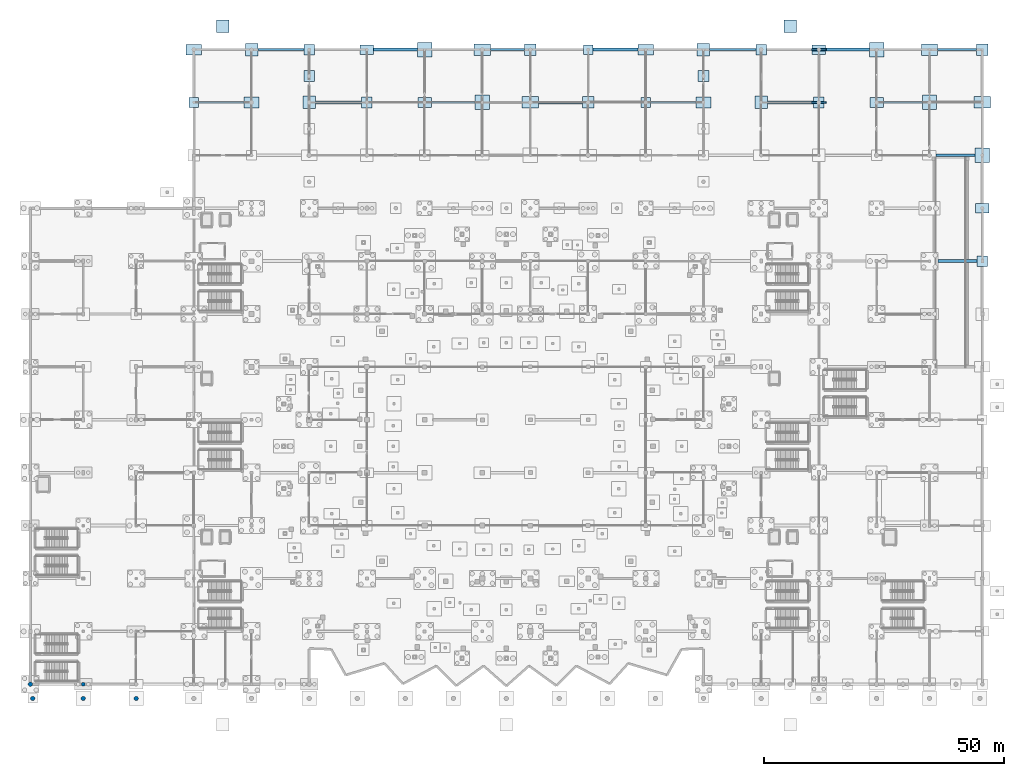
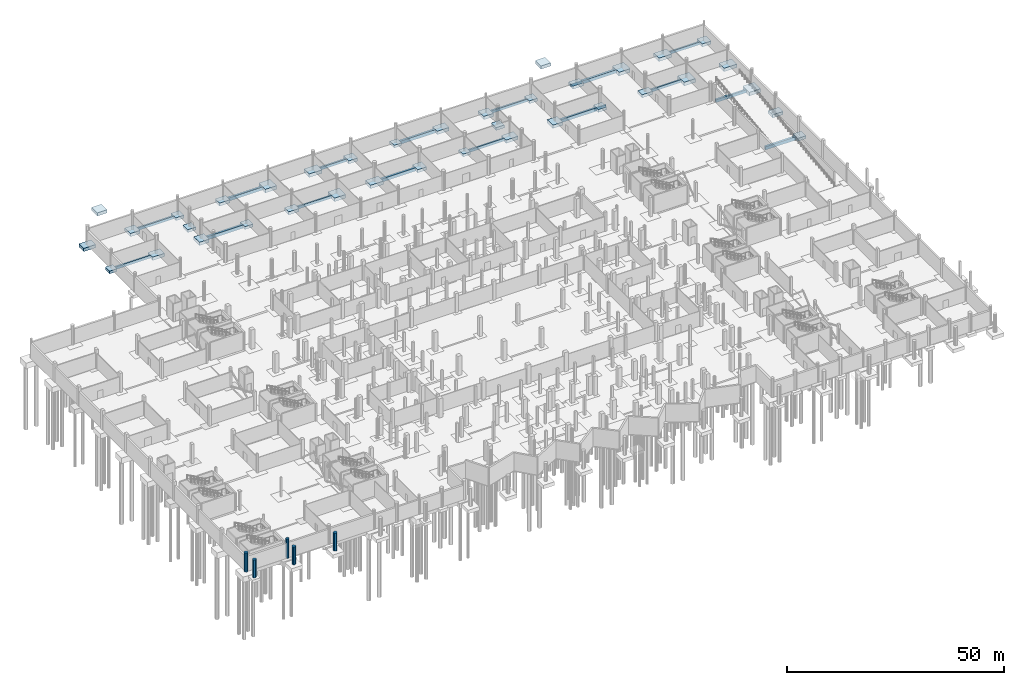
# One storey, part 8 of 60: 55 footings, 5 columns.
"""IFC4 building model written with IfcOpenShell, lengths in metres."""

import ifcopenshell
import ifcopenshell.guid

model = None  # the IFC model being written
_history = None  # IfcOwnerHistory: only IFC2X3 demands one
_inside = {}  # id of a spatial element -> (the spatial element, [elements in it])
_under = {}  # id of a project, library or spatial element -> (it, [spatial elements below it])
_declared = {}  # id of a project -> (the project, [libraries it declares])
_typed = {}  # id of a type object -> (the type object, [elements of that type])
_made_of = {}  # id of a material, layer set ... -> (it, [elements and type objects made of it])


def new_model(schema):
    """Start an empty IFC model of exactly this schema.

    Asked for "IFC4X3", IfcOpenShell would pick the latest addendum, in which some entities
    have other attributes; the version numbers below select the first issue.
    IFC2X3 requires an IfcOwnerHistory on every rooted entity: one is made here for all.
    """
    global model, _history
    if schema == "IFC4X3":
        model = ifcopenshell.file(schema_version=(4, 3, 0, 0))
    else:
        model = ifcopenshell.file(schema=schema)
    _inside.clear()
    _under.clear()
    _declared.clear()
    _typed.clear()
    _made_of.clear()
    _history = None
    if model.schema == "IFC2X3":
        org = make("IfcOrganization", Name="unknown")
        user = make(
            "IfcPersonAndOrganization",
            ThePerson=make("IfcPerson", FamilyName="unknown"),
            TheOrganization=org,
        )
        app = make(
            "IfcApplication",
            ApplicationDeveloper=org,
            Version="unknown",
            ApplicationFullName="unknown",
            ApplicationIdentifier="unknown",
        )
        _history = make(
            "IfcOwnerHistory",
            OwningUser=user,
            OwningApplication=app,
            ChangeAction="ADDED",
            CreationDate=0,
        )
    return model


def make(cls, **values):
    """One entity of the class cls with the attributes given. An attribute that is None is left unset."""
    return model.create_entity(
        cls, **{name: value for name, value in values.items() if value is not None}
    )


def rooted(cls, **values):
    """An entity with a GlobalId (a new one), such as an element, a storey or a relation."""
    return make(cls, GlobalId=ifcopenshell.guid.new(), OwnerHistory=_history, **values)


def si_unit(unit_type, name, prefix=None):
    """IfcSIUnit, for example si_unit("LENGTHUNIT", "METRE", prefix="MILLI")."""
    return make("IfcSIUnit", UnitType=unit_type, Prefix=prefix, Name=name)


def assignment(units):
    """IfcUnitAssignment: the units of a project."""
    return None if units is None else make("IfcUnitAssignment", Units=units)


def point(xyz):
    """IfcCartesianPoint."""
    return None if xyz is None else make("IfcCartesianPoint", Coordinates=xyz)


def direction(xyz):
    """IfcDirection."""
    return None if xyz is None else make("IfcDirection", DirectionRatios=xyz)


def frame(location, z_axis=None, x_axis=None):
    """IfcAxis2Placement3D, a coordinate frame: its origin and axes. An axis left out is left unset."""
    return make(
        "IfcAxis2Placement3D",
        Location=point(location),
        Axis=direction(z_axis),
        RefDirection=direction(x_axis),
    )


def frame_2d(location, x_axis=None):
    """IfcAxis2Placement2D, a coordinate frame in the plane: its origin and x axis."""
    return make(
        "IfcAxis2Placement2D", Location=point(location), RefDirection=direction(x_axis)
    )


def origin():
    """The frame at (0, 0, 0) with its axes left unset."""
    return frame((0.0, 0.0, 0.0))


def origin_with_axes():
    """The frame at (0, 0, 0) with the z axis (0, 0, 1) and the x axis (1, 0, 0) written out."""
    return frame((0.0, 0.0, 0.0), z_axis=(0.0, 0.0, 1.0), x_axis=(1.0, 0.0, 0.0))


def origin_2d():
    """The frame at (0, 0) in the plane with its x axis left unset."""
    return frame_2d((0.0, 0.0))


def place(relative_to, where):
    """IfcLocalPlacement: puts the frame where relative to a parent placement (None: the world)."""
    return make(
        "IfcLocalPlacement", PlacementRelTo=relative_to, RelativePlacement=where
    )


def context(
    kind, dimensions, precision=None, world=None, true_north=None, identifier=None
):
    """IfcGeometricRepresentationContext, for example the 3D "Model" context."""
    return make(
        "IfcGeometricRepresentationContext",
        ContextIdentifier=identifier,
        ContextType=kind,
        CoordinateSpaceDimension=dimensions,
        Precision=precision,
        WorldCoordinateSystem=world,
        TrueNorth=true_north,
    )


def subcontext(parent, identifier, kind, view, scale=None):
    """IfcGeometricRepresentationSubContext, for example "Body" below "Model"."""
    return make(
        "IfcGeometricRepresentationSubContext",
        ContextIdentifier=identifier,
        ContextType=kind,
        ParentContext=parent,
        TargetScale=scale,
        TargetView=view,
    )


def project(units=None, contexts=None):
    """IfcProject with its units and contexts."""
    return rooted(
        "IfcProject",
        Name="project",
        RepresentationContexts=contexts,
        UnitsInContext=assignment(units),
    )


def spatial(cls, under=None, at=None, **own):
    """A site, building, storey or space (cls), placed at a placement, below another one or the project."""
    s = rooted(cls, ObjectPlacement=at, **own)
    if under is not None:
        _under.setdefault(under.id(), (under, []))[1].append(s)
    return s


def profile(cls, at=None, kind="AREA", **sizes):
    """A parametric profile (cls). Its sizes go by their IFC names, for example OverallWidth=200.0."""
    return make(cls, ProfileType=kind, Position=at, **sizes)


def rectangle(**sizes):
    """IfcRectangleProfileDef."""
    return profile("IfcRectangleProfileDef", **sizes)


def circle(**sizes):
    """IfcCircleProfileDef."""
    return profile("IfcCircleProfileDef", **sizes)


def extrude(swept, where, along, depth):
    """IfcExtrudedAreaSolid: the profile swept, set in the frame where, extruded along a direction by depth."""
    return make(
        "IfcExtrudedAreaSolid",
        SweptArea=swept,
        Position=where,
        ExtrudedDirection=direction(along),
        Depth=depth,
    )


def shape(context_of_items, identifier, shape_type, items):
    """IfcShapeRepresentation: the items that make up one representation, for example the "Body"."""
    return make(
        "IfcShapeRepresentation",
        ContextOfItems=context_of_items,
        RepresentationIdentifier=identifier,
        RepresentationType=shape_type,
        Items=items,
    )


def material(Name=None, Category=None):
    """IfcMaterial."""
    return make("IfcMaterial", Name=Name, Category=Category)


def material_profile(
    of_material, cross_section, Name=None, Category=None, Priority=None
):
    """IfcMaterialProfile: a cross section and its material."""
    return make(
        "IfcMaterialProfile",
        Name=Name,
        Material=of_material,
        Profile=cross_section,
        Priority=Priority,
        Category=Category,
    )


def profile_set(profiles, Name=None, composite=None):
    """IfcMaterialProfileSet."""
    return make(
        "IfcMaterialProfileSet",
        Name=Name,
        MaterialProfiles=profiles,
        CompositeProfile=composite,
    )


def made_of(thing, what):
    """Note that an element or type object is made of a material, layer set ...; save() writes the relation."""
    if what is not None:
        _made_of.setdefault(what.id(), (what, []))[1].append(thing)
    return thing


def type_object(cls, material=None, **own):
    """A type object (cls), such as IfcWallType, which elements share."""
    return made_of(rooted(cls, **own), material)


def element(
    cls,
    number,
    at=None,
    inside=None,
    cuts=None,
    type_object=None,
    material=None,
    context=None,
    identifier="Body",
    shape_type=None,
    held_by="IfcProductDefinitionShape",
    body=None,
    shapes=None,
    **own,
):
    """One element of the class cls, such as IfcWall. Its Tag is "e" and its number.

    at: its placement. inside: the storey or other place that contains it. cuts: it is an
    opening in that element (IfcRelVoidsElement). A single representation is given by context,
    identifier, shape_type and body (its items); several are given by shapes. held_by: the class
    of the entity that holds the representations. save() writes the other relations.
    """
    e = rooted(cls, Tag="e%d" % number, ObjectPlacement=at, **own)
    if body is not None:
        shapes = [shape(context, identifier, shape_type, body)]
    if shapes is not None:
        e.Representation = make(held_by, Representations=shapes)
    if inside is not None:
        _inside.setdefault(inside.id(), (inside, []))[1].append(e)
    if cuts is not None:
        rooted(
            "IfcRelVoidsElement", RelatingBuildingElement=cuts, RelatedOpeningElement=e
        )
    if type_object is not None:
        _typed.setdefault(type_object.id(), (type_object, []))[1].append(e)
    return made_of(e, material)


def aggregate(whole, parts):
    """IfcRelAggregates: a whole, such as a stair, and the parts it consists of."""
    return rooted("IfcRelAggregates", RelatingObject=whole, RelatedObjects=parts)


def save(model, path):
    """Write the relations noted so far, then the file.

    IfcRelAggregates (storeys below a building ...), IfcRelContainedInSpatialStructure (elements
    in a storey), IfcRelDefinesByType, IfcRelAssociatesMaterial and IfcRelDeclares: one each for
    every whole, place, type object, material and project.
    """
    for whole, parts in _under.values():
        aggregate(whole, parts)
    for where, things in _inside.values():
        rooted(
            "IfcRelContainedInSpatialStructure",
            RelatedElements=things,
            RelatingStructure=where,
        )
    for kind, things in _typed.values():
        rooted("IfcRelDefinesByType", RelatedObjects=things, RelatingType=kind)
    for what, things in _made_of.values():
        rooted("IfcRelAssociatesMaterial", RelatedObjects=things, RelatingMaterial=what)
    for by, libraries in _declared.values():
        rooted("IfcRelDeclares", RelatingContext=by, RelatedDefinitions=libraries)
    model.write(path)


model = new_model("IFC4")

# Units and contexts
model_context = context("Model", 3, precision=1e-05, world=origin(), true_north=direction((0.0, 1.0)))
body_context = subcontext(model_context, "Body", "Model", "MODEL_VIEW")
ifc_project = project(units=[si_unit("LENGTHUNIT", "METRE"), si_unit("AREAUNIT", "SQUARE_METRE"), si_unit("VOLUMEUNIT", "CUBIC_METRE"), si_unit("PLANEANGLEUNIT", "RADIAN"), si_unit("MASSUNIT", "GRAM", prefix="KILO")], contexts=[model_context])

# Site, building, storey
site_placement = place(None, origin())
site = spatial("IfcSite", under=ifc_project, at=site_placement, CompositionType="ELEMENT")
building_placement = place(site_placement, origin())
building = spatial("IfcBuilding", under=site, at=building_placement, Name="Luwafu Chhajja Arena", CompositionType="ELEMENT")
storey_placement = place(building_placement, frame((0.0, 0.0, -5.39990234375)))
storey = spatial("IfcBuildingStorey", under=building, at=storey_placement, Name="B1", CompositionType="ELEMENT", Elevation=-5.39990234375)

# Footings
ifc_material_1 = material(Name="Concrete C35/45", Category="concrete")
footing_type_1 = type_object("IfcFootingType", Name="Arcade Corner Pad Footing PF-7", PredefinedType="PAD_FOOTING", material=ifc_material_1)
for number, where, z_axis, x_axis, name in (
    (1, (34.0, 121.0, -0.75), (0.0, 0.0, 1.0), (1.0, 0.0, 0.0), "Pad footing PAD-008"),
    (2, (116.0, 132.0, -0.75), (0.0, 0.0, 1.0), (1.0, 0.0, 0.0), "Pad footing PAD-050"),
    (3, (128.0, 121.0, -0.75), (0.0, 0.0, 1.0), (1.0, 0.0, 0.0), "Pad footing PAD-056"),
):
    element("IfcFooting", number, at=place(storey_placement, frame(where, z_axis=z_axis, x_axis=x_axis)), inside=storey, type_object=footing_type_1, Name=name, PredefinedType="PAD_FOOTING", context=body_context, shape_type="SweptSolid", body=[
        extrude(rectangle(XDim=2.0, YDim=2.0, at=origin_2d()), origin(), (0.0, 0.0, 1.0), 0.75),
    ])
ifc_material_profile_1 = material_profile(ifc_material_1, rectangle(XDim=0.39990234375, YDim=0.60009765625, at=origin_2d()), Name="RC 400x600")
ifc_profile_set_1 = profile_set([ifc_material_profile_1], Name="Concrete C35/45")
footing_type_2 = type_object("IfcFootingType", Name="Arcade Plinth Tie Beam GB-4", PredefinedType="FOOTING_BEAM", material=ifc_profile_set_1)
for number, where, z_axis, x_axis, name in (
    (4, (162.5, 132.0, -0.4501953125), (1.0, 0.0, 0.0), (0.0, 1.0, 0.0), "B1 Movement Joint Wall Sill Tie Beam 05"),
    (5, (162.5, 121.0, -0.4501953125), (1.0, 0.0, 0.0), (0.0, 1.0, 0.0), "B1 Movement Joint Wall Sill Tie Beam 06"),
):
    element("IfcFooting", number, at=place(storey_placement, frame(where, z_axis=z_axis, x_axis=x_axis)), inside=storey, type_object=footing_type_2, Name=name, PredefinedType="FOOTING_BEAM", context=body_context, shape_type="SweptSolid", body=[
        extrude(rectangle(XDim=0.39990234375, YDim=0.60009765625, at=origin_2d()), origin(), (0.0, 0.0, 1.0), 3.0),
    ])
footing_type_3 = type_object("IfcFootingType", Name="Charbagh Arcade Pad Footing PF-2", PredefinedType="PAD_FOOTING", material=ifc_material_1)
for number, where, z_axis, x_axis, name in (
    (6, (58.0, 132.0, -0.80029296875), (0.0, 0.0, 1.0), (1.0, 0.0, 0.0), "Pad footing PAD-015"),
    (7, (70.0, 121.0, -0.80029296875), (0.0, 0.0, 1.0), (1.0, 0.0, 0.0), "Pad footing PAD-021"),
    (8, (152.0, 132.0, -0.80029296875), (0.0, 0.0, 1.0), (1.0, 0.0, 0.0), "Pad footing PAD-063"),
    (9, (164.0, 121.0, -0.80029296875), (0.0, 0.0, 1.0), (1.0, 0.0, 0.0), "Pad footing PAD-065"),
    (10, (198.0, 88.0, -0.80029296875), (0.0, 0.0, 1.0), (1.0, 0.0, 0.0), "Pad footing PAD-083"),
    (11, (58.0, 126.5, -0.80029296875), (0.0, 0.0, 1.0), (1.0, 0.0, 0.0), "Pad footing PAD-116"),
    (12, (140.0, 126.5, -0.80029296875), (0.0, 0.0, 1.0), (1.0, 0.0, 0.0), "Pad footing PAD-117"),
):
    element("IfcFooting", number, at=place(storey_placement, frame(where, z_axis=z_axis, x_axis=x_axis)), inside=storey, type_object=footing_type_3, Name=name, PredefinedType="PAD_FOOTING", context=body_context, shape_type="SweptSolid", body=[
        extrude(rectangle(XDim=2.199951171875, YDim=2.199951171875, at=origin_2d()), origin(), (0.0, 0.0, 1.0), 0.800048828125),
    ])
footing_type_4 = type_object("IfcFootingType", Name="Colonnade Pad Footing PF-1", PredefinedType="PAD_FOOTING", material=ifc_material_1)
for number, where, z_axis, x_axis, name in (
    (13, (46.0, 132.0, -0.900146484375), (0.0, 0.0, 1.0), (1.0, 0.0, 0.0), "Pad footing PAD-012"),
    (14, (58.0, 121.0, -0.900146484375), (0.0, 0.0, 1.0), (1.0, 0.0, 0.0), "Pad footing PAD-014"),
    (15, (140.0, 132.0, -0.900146484375), (0.0, 0.0, 1.0), (1.0, 0.0, 0.0), "Pad footing PAD-060"),
    (16, (152.0, 121.0, -0.900146484375), (0.0, 0.0, 1.0), (1.0, 0.0, 0.0), "Pad footing PAD-062"),
    (17, (40.0, 136.85009765625, 4.050048828125), (0.0, 0.0, 1.0), (1.0, 0.0, 0.0), "Accessible Ramp RA-04 Toe Footing"),
    (18, (158.0, 136.85009765625, 4.050048828125), (0.0, 0.0, 1.0), (1.0, 0.0, 0.0), "Accessible Ramp RA-05 Toe Footing"),
):
    element("IfcFooting", number, at=place(storey_placement, frame(where, z_axis=z_axis, x_axis=x_axis)), inside=storey, type_object=footing_type_4, Name=name, PredefinedType="PAD_FOOTING", context=body_context, shape_type="SweptSolid", body=[
        extrude(rectangle(XDim=2.60009765625, YDim=2.60009765625, at=origin_2d()), origin(), (0.0, 0.0, 1.0), 0.89990234375),
    ])
footing_type_5 = type_object("IfcFootingType", Name="Forecourt Canopy Pad Footing PF-3", PredefinedType="PAD_FOOTING", material=ifc_material_1)
for number, where, z_axis, x_axis, name in (
    (19, (70.0, 132.0, -0.85009765625), (0.0, 0.0, 1.0), (1.0, 0.0, 0.0), "Pad footing PAD-022"),
    (20, (82.0, 121.0, -0.85009765625), (0.0, 0.0, 1.0), (1.0, 0.0, 0.0), "Pad footing PAD-028"),
    (21, (164.0, 132.0, -0.85009765625), (0.0, 0.0, 1.0), (1.0, 0.0, 0.0), "Pad footing PAD-066"),
    (22, (176.0, 121.0, -0.85009765625), (0.0, 0.0, 1.0), (1.0, 0.0, 0.0), "Pad footing PAD-069"),
    (23, (198.0, 99.0, -0.85009765625), (0.0, 0.0, 1.0), (1.0, 0.0, 0.0), "Pad footing PAD-084"),
):
    element("IfcFooting", number, at=place(storey_placement, frame(where, z_axis=z_axis, x_axis=x_axis)), inside=storey, type_object=footing_type_5, Name=name, PredefinedType="PAD_FOOTING", context=body_context, shape_type="SweptSolid", body=[
        extrude(rectangle(XDim=2.800048828125, YDim=2.0, at=origin_2d()), origin(), (0.0, 0.0, 1.0), 0.85009765625),
    ])
footing_type_6 = type_object("IfcFootingType", Name="Light Court Pad Footing PF-8", PredefinedType="PAD_FOOTING", material=ifc_material_1)
for number, where, z_axis, x_axis, name in (
    (24, (34.0, 132.0, -0.900146484375), (0.0, 0.0, 1.0), (1.0, 0.0, 0.0), "Pad footing PAD-009"),
    (25, (46.0, 121.0, -0.900146484375), (0.0, 0.0, 1.0), (1.0, 0.0, 0.0), "Pad footing PAD-011"),
    (26, (128.0, 132.0, -0.900146484375), (0.0, 0.0, 1.0), (1.0, 0.0, 0.0), "Pad footing PAD-057"),
    (27, (140.0, 121.0, -0.900146484375), (0.0, 0.0, 1.0), (1.0, 0.0, 0.0), "Pad footing PAD-059"),
):
    element("IfcFooting", number, at=place(storey_placement, frame(where, z_axis=z_axis, x_axis=x_axis)), inside=storey, type_object=footing_type_6, Name=name, PredefinedType="PAD_FOOTING", context=body_context, shape_type="SweptSolid", body=[
        extrude(rectangle(XDim=3.199951171875, YDim=2.199951171875, at=origin_2d()), origin(), (0.0, 0.0, 1.0), 0.89990234375),
    ])
footing_type_7 = type_object("IfcFootingType", Name="Pavilion Corner Pad Footing PF-4", PredefinedType="PAD_FOOTING", material=ifc_material_1)
for number, where, z_axis, x_axis, name in (
    (28, (82.0, 132.0, -1.0), (0.0, 0.0, 1.0), (1.0, 0.0, 0.0), "Pad footing PAD-029"),
    (29, (94.0, 121.0, -1.0), (0.0, 0.0, 1.0), (1.0, 0.0, 0.0), "Pad footing PAD-035"),
    (30, (176.0, 132.0, -1.0), (0.0, 0.0, 1.0), (1.0, 0.0, 0.0), "Pad footing PAD-070"),
    (31, (187.0, 121.0, -1.0), (0.0, 0.0, 1.0), (1.0, 0.0, 0.0), "Pad footing PAD-073"),
    (32, (198.0, 110.0, -1.0), (0.0, 0.0, 1.0), (1.0, 0.0, 0.0), "Pad footing PAD-085"),
):
    element("IfcFooting", number, at=place(storey_placement, frame(where, z_axis=z_axis, x_axis=x_axis)), inside=storey, type_object=footing_type_7, Name=name, PredefinedType="PAD_FOOTING", context=body_context, shape_type="SweptSolid", body=[
        extrude(rectangle(XDim=3.0, YDim=3.0, at=origin_2d()), origin(), (0.0, 0.0, 1.0), 1.0),
    ])
ifc_material_profile_2 = material_profile(ifc_material_1, rectangle(XDim=0.449951171875, YDim=0.75, at=origin_2d()), Name="RC 450x750")
ifc_profile_set_2 = profile_set([ifc_material_profile_2], Name="Concrete C35/45")
footing_type_8 = type_object("IfcFootingType", Name="Perimeter Plinth Ground Beam GB-3", PredefinedType="FOOTING_BEAM", material=ifc_profile_set_2)
footing_1_placement = place(storey_placement, frame((35.0, 121.0, -0.375), z_axis=(1.0, 0.0, 0.0), x_axis=(0.0, 1.0, 0.0)))
element("IfcFooting", 33, at=footing_1_placement, inside=storey, type_object=footing_type_8, Name="Ground tie beam GB-X-090", PredefinedType="FOOTING_BEAM", context=body_context, shape_type="SweptSolid", body=[
    extrude(rectangle(XDim=0.449951171875, YDim=0.75, at=origin_2d()), origin(), (0.0, 0.0, 1.0), 9.39990234375),
])
footing_2_placement = place(storey_placement, frame((83.39990234375, 121.0, -0.375), z_axis=(1.0, 0.0, 0.0), x_axis=(0.0, 1.0, 0.0)))
element("IfcFooting", 34, at=footing_2_placement, inside=storey, type_object=footing_type_8, Name="Ground tie beam GB-X-092", PredefinedType="FOOTING_BEAM", context=body_context, shape_type="SweptSolid", body=[
    extrude(rectangle(XDim=0.449951171875, YDim=0.75, at=origin_2d()), origin(), (0.0, 0.0, 1.0), 9.10009765625),
])
footing_3_placement = place(storey_placement, frame((129.0, 121.0, -0.375), z_axis=(1.0, 0.0, 0.0), x_axis=(0.0, 1.0, 0.0)))
element("IfcFooting", 35, at=footing_3_placement, inside=storey, type_object=footing_type_8, Name="Ground tie beam GB-X-094", PredefinedType="FOOTING_BEAM", context=body_context, shape_type="SweptSolid", body=[
    extrude(rectangle(XDim=0.449951171875, YDim=0.75, at=origin_2d()), origin(), (0.0, 0.0, 1.0), 9.39990234375),
])
footing_4_placement = place(storey_placement, frame((177.39990234375, 121.0, -0.375), z_axis=(1.0, 0.0, 0.0), x_axis=(0.0, 1.0, 0.0)))
element("IfcFooting", 36, at=footing_4_placement, inside=storey, type_object=footing_type_8, Name="Ground tie beam GB-X-096", PredefinedType="FOOTING_BEAM", context=body_context, shape_type="SweptSolid", body=[
    extrude(rectangle(XDim=0.449951171875, YDim=0.75, at=origin_2d()), origin(), (0.0, 0.0, 1.0), 8.10009765625),
])
footing_5_placement = place(storey_placement, frame((47.300048828125, 132.0, -0.375), z_axis=(1.0, 0.0, 0.0), x_axis=(0.0, 1.0, 0.0)))
element("IfcFooting", 37, at=footing_5_placement, inside=storey, type_object=footing_type_8, Name="Ground tie beam GB-X-097", PredefinedType="FOOTING_BEAM", context=body_context, shape_type="SweptSolid", body=[
    extrude(rectangle(XDim=0.449951171875, YDim=0.75, at=origin_2d()), origin(), (0.0, 0.0, 1.0), 9.599853515625),
])
footing_6_placement = place(storey_placement, frame((95.699951171875, 132.0, -0.375), z_axis=(1.0, 0.0, 0.0), x_axis=(0.0, 1.0, 0.0)))
element("IfcFooting", 38, at=footing_6_placement, inside=storey, type_object=footing_type_8, Name="Ground tie beam GB-X-099", PredefinedType="FOOTING_BEAM", context=body_context, shape_type="SweptSolid", body=[
    extrude(rectangle(XDim=0.449951171875, YDim=0.75, at=origin_2d()), origin(), (0.0, 0.0, 1.0), 7.10009765625),
])
footing_7_placement = place(storey_placement, frame((141.300048828125, 132.0, -0.375), z_axis=(1.0, 0.0, 0.0), x_axis=(0.0, 1.0, 0.0)))
element("IfcFooting", 39, at=footing_7_placement, inside=storey, type_object=footing_type_8, Name="Ground tie beam GB-X-101", PredefinedType="FOOTING_BEAM", context=body_context, shape_type="SweptSolid", body=[
    extrude(rectangle(XDim=0.449951171875, YDim=0.75, at=origin_2d()), origin(), (0.0, 0.0, 1.0), 9.599853515625),
])
footing_8_placement = place(storey_placement, frame((188.699951171875, 132.0, -0.375), z_axis=(1.0, 0.0, 0.0), x_axis=(0.0, 1.0, 0.0)))
element("IfcFooting", 40, at=footing_8_placement, inside=storey, type_object=footing_type_8, Name="Ground tie beam GB-X-103", PredefinedType="FOOTING_BEAM", context=body_context, shape_type="SweptSolid", body=[
    extrude(rectangle(XDim=0.449951171875, YDim=0.75, at=origin_2d()), origin(), (0.0, 0.0, 1.0), 8.10009765625),
])
ifc_material_profile_3 = material_profile(ifc_material_1, rectangle(XDim=0.60009765625, YDim=0.89990234375, at=origin_2d()), Name="RC 600x900")
ifc_profile_set_3 = profile_set([ifc_material_profile_3], Name="Concrete C35/45")
footing_type_9 = type_object("IfcFootingType", Name="Primary Ground Tie Beam GB-1", PredefinedType="FOOTING_BEAM", material=ifc_profile_set_3)
footing_9_placement = place(storey_placement, frame((188.800048828125, 88.0, -0.4501953125), z_axis=(1.0, 0.0, 0.0), x_axis=(0.0, 1.0, 0.0)))
element("IfcFooting", 41, at=footing_9_placement, inside=storey, type_object=footing_type_9, Name="Ground tie beam GB-X-074", PredefinedType="FOOTING_BEAM", context=body_context, shape_type="SweptSolid", body=[
    extrude(rectangle(XDim=0.60009765625, YDim=0.89990234375, at=origin_2d()), origin(), (0.0, 0.0, 1.0), 8.099853515625),
])
footing_10_placement = place(storey_placement, frame((59.300048828125, 121.0, -0.4501953125), z_axis=(1.0, 0.0, 0.0), x_axis=(0.0, 1.0, 0.0)))
element("IfcFooting", 42, at=footing_10_placement, inside=storey, type_object=footing_type_9, Name="Ground tie beam GB-X-091", PredefinedType="FOOTING_BEAM", context=body_context, shape_type="SweptSolid", body=[
    extrude(rectangle(XDim=0.60009765625, YDim=0.89990234375, at=origin_2d()), origin(), (0.0, 0.0, 1.0), 9.599853515625),
])
footing_11_placement = place(storey_placement, frame((105.699951171875, 121.0, -0.4501953125), z_axis=(1.0, 0.0, 0.0), x_axis=(0.0, 1.0, 0.0)))
element("IfcFooting", 43, at=footing_11_placement, inside=storey, type_object=footing_type_9, Name="Ground tie beam GB-X-093", PredefinedType="FOOTING_BEAM", context=body_context, shape_type="SweptSolid", body=[
    extrude(rectangle(XDim=0.60009765625, YDim=0.89990234375, at=origin_2d()), origin(), (0.0, 0.0, 1.0), 9.10009765625),
])
footing_12_placement = place(storey_placement, frame((153.300048828125, 121.0, -0.4501953125), z_axis=(1.0, 0.0, 0.0), x_axis=(0.0, 1.0, 0.0)))
element("IfcFooting", 44, at=footing_12_placement, inside=storey, type_object=footing_type_9, Name="Ground tie beam GB-X-095", PredefinedType="FOOTING_BEAM", context=body_context, shape_type="SweptSolid", body=[
    extrude(rectangle(XDim=0.60009765625, YDim=0.89990234375, at=origin_2d()), origin(), (0.0, 0.0, 1.0), 9.599853515625),
])
footing_13_placement = place(storey_placement, frame((71.39990234375, 132.0, -0.4501953125), z_axis=(1.0, 0.0, 0.0), x_axis=(0.0, 1.0, 0.0)))
element("IfcFooting", 45, at=footing_13_placement, inside=storey, type_object=footing_type_9, Name="Ground tie beam GB-X-098", PredefinedType="FOOTING_BEAM", context=body_context, shape_type="SweptSolid", body=[
    extrude(rectangle(XDim=0.60009765625, YDim=0.89990234375, at=origin_2d()), origin(), (0.0, 0.0, 1.0), 9.10009765625),
])
footing_14_placement = place(storey_placement, frame((117.0, 132.0, -0.4501953125), z_axis=(1.0, 0.0, 0.0), x_axis=(0.0, 1.0, 0.0)))
element("IfcFooting", 46, at=footing_14_placement, inside=storey, type_object=footing_type_9, Name="Ground tie beam GB-X-100", PredefinedType="FOOTING_BEAM", context=body_context, shape_type="SweptSolid", body=[
    extrude(rectangle(XDim=0.60009765625, YDim=0.89990234375, at=origin_2d()), origin(), (0.0, 0.0, 1.0), 9.39990234375),
])
footing_15_placement = place(storey_placement, frame((165.39990234375, 132.0, -0.4501953125), z_axis=(1.0, 0.0, 0.0), x_axis=(0.0, 1.0, 0.0)))
element("IfcFooting", 47, at=footing_15_placement, inside=storey, type_object=footing_type_9, Name="Ground tie beam GB-X-102", PredefinedType="FOOTING_BEAM", context=body_context, shape_type="SweptSolid", body=[
    extrude(rectangle(XDim=0.60009765625, YDim=0.89990234375, at=origin_2d()), origin(), (0.0, 0.0, 1.0), 9.10009765625),
])
footing_type_10 = type_object("IfcFootingType", Name="Raker Plinth Pad Footing PF-6", PredefinedType="PAD_FOOTING", material=ifc_material_1)
for number, where, z_axis, x_axis, name in (
    (48, (104.0, 132.0, -0.85009765625), (0.0, 0.0, 1.0), (1.0, 0.0, 0.0), "Pad footing PAD-043"),
    (49, (116.0, 121.0, -0.85009765625), (0.0, 0.0, 1.0), (1.0, 0.0, 0.0), "Pad footing PAD-049"),
    (50, (198.0, 132.0, -0.85009765625), (0.0, 0.0, 1.0), (1.0, 0.0, 0.0), "Pad footing PAD-087"),
):
    element("IfcFooting", number, at=place(storey_placement, frame(where, z_axis=z_axis, x_axis=x_axis)), inside=storey, type_object=footing_type_10, Name=name, PredefinedType="PAD_FOOTING", context=body_context, shape_type="SweptSolid", body=[
        extrude(rectangle(XDim=2.39990234375, YDim=2.39990234375, at=origin_2d()), origin(), (0.0, 0.0, 1.0), 0.85009765625),
    ])
footing_type_11 = type_object("IfcFootingType", Name="Ramp Toe Pad Footing PF-5", PredefinedType="PAD_FOOTING", material=ifc_material_1)
for number, where, z_axis, x_axis, name in (
    (51, (94.0, 132.0, -0.9501953125), (0.0, 0.0, 1.0), (1.0, 0.0, 0.0), "Pad footing PAD-036"),
    (52, (104.0, 121.0, -0.9501953125), (0.0, 0.0, 1.0), (1.0, 0.0, 0.0), "Pad footing PAD-042"),
    (53, (187.0, 132.0, -0.9501953125), (0.0, 0.0, 1.0), (1.0, 0.0, 0.0), "Pad footing PAD-074"),
    (54, (198.0, 121.0, -0.9501953125), (0.0, 0.0, 1.0), (1.0, 0.0, 0.0), "Pad footing PAD-086"),
):
    element("IfcFooting", number, at=place(storey_placement, frame(where, z_axis=z_axis, x_axis=x_axis)), inside=storey, type_object=footing_type_11, Name=name, PredefinedType="PAD_FOOTING", context=body_context, shape_type="SweptSolid", body=[
        extrude(rectangle(XDim=3.39990234375, YDim=2.39990234375, at=origin_2d()), origin(), (0.0, 0.0, 1.0), 0.949951171875),
    ])
ifc_material_profile_4 = material_profile(ifc_material_1, rectangle(XDim=0.5, YDim=0.800048828125, at=origin_2d()), Name="RC 500x800")
ifc_profile_set_4 = profile_set([ifc_material_profile_4], Name="Concrete C35/45")
footing_type_12 = type_object("IfcFootingType", Name="Secondary Ground Tie Beam GB-2", PredefinedType="FOOTING_BEAM", material=ifc_profile_set_4)
footing_16_placement = place(storey_placement, frame((188.39990234375, 110.0, -0.400146484375), z_axis=(1.0, 0.0, 0.0), x_axis=(0.0, 1.0, 0.0)))
element("IfcFooting", 55, at=footing_16_placement, inside=storey, type_object=footing_type_12, Name="Ground tie beam GB-X-089", PredefinedType="FOOTING_BEAM", context=body_context, shape_type="SweptSolid", body=[
    extrude(rectangle(XDim=0.5, YDim=0.800048828125, at=origin_2d()), origin(), (0.0, 0.0, 1.0), 8.10009765625),
])

# Columns
ifc_material_2 = material(Name="Concrete C40/50", Category="concrete")
ifc_material_profile_5 = material_profile(ifc_material_2, circle(Radius=0.39990234375, at=origin_2d()), Name="RC COL D800")
ifc_profile_set_5 = profile_set([ifc_material_profile_5], Name="Concrete C40/50")
column_type_1 = type_object("IfcColumnType", Name="Foyer Rotunda Pier D800", PredefinedType="COLUMN", material=ifc_profile_set_5)
column_1_placement = place(storey_placement, frame((11.0, 0.0, 0.0), z_axis=(0.0, 0.0, 1.0), x_axis=(1.0, 0.0, 0.0)))
element("IfcColumn", 56, at=column_1_placement, inside=storey, type_object=column_type_1, Name="B1 Grid Column 2/A", PredefinedType="COLUMN", context=body_context, shape_type="SweptSolid", body=[
    extrude(circle(Radius=0.39990234375, at=origin_2d()), origin(), (0.0, 0.0, 1.0), 5.39990234375),
])
ifc_material_profile_6 = material_profile(ifc_material_2, circle(Radius=0.449951171875, at=origin_2d()), Name="RC COL D900")
ifc_profile_set_6 = profile_set([ifc_material_profile_6], Name="Concrete C40/50")
column_type_2 = type_object("IfcColumnType", Name="Mughal Colonnade Drum Pier D900", PredefinedType="COLUMN", material=ifc_profile_set_6)
column_2_placement = place(storey_placement, origin_with_axes())
element("IfcColumn", 57, at=column_2_placement, inside=storey, type_object=column_type_2, Name="B1 Grid Column 1/A", PredefinedType="COLUMN", context=body_context, shape_type="SweptSolid", body=[
    extrude(circle(Radius=0.449951171875, at=origin_2d()), origin(), (0.0, 0.0, 1.0), 5.39990234375),
])
for number, where, z_axis, x_axis, name in (
    (58, (0.5, -2.949951171875, 0.0), (0.0, 0.0, 1.0), (1.0, 0.0, 0.0), "B1 Plinth Apron Pier FC01"),
    (59, (11.0, -2.949951171875, 0.0), (0.0, 0.0, 1.0), (1.0, 0.0, 0.0), "B1 Plinth Apron Pier FC02"),
    (60, (22.0, -2.949951171875, 0.0), (0.0, 0.0, 1.0), (1.0, 0.0, 0.0), "B1 Plinth Apron Pier FC03"),
):
    element("IfcColumn", number, at=place(storey_placement, frame(where, z_axis=z_axis, x_axis=x_axis)), inside=storey, type_object=column_type_2, Name=name, PredefinedType="COLUMN", context=body_context, shape_type="SweptSolid", body=[
        extrude(circle(Radius=0.449951171875, at=origin_2d()), origin(), (0.0, 0.0, 1.0), 5.0498046875),
    ])

save(model, "model.ifc")
